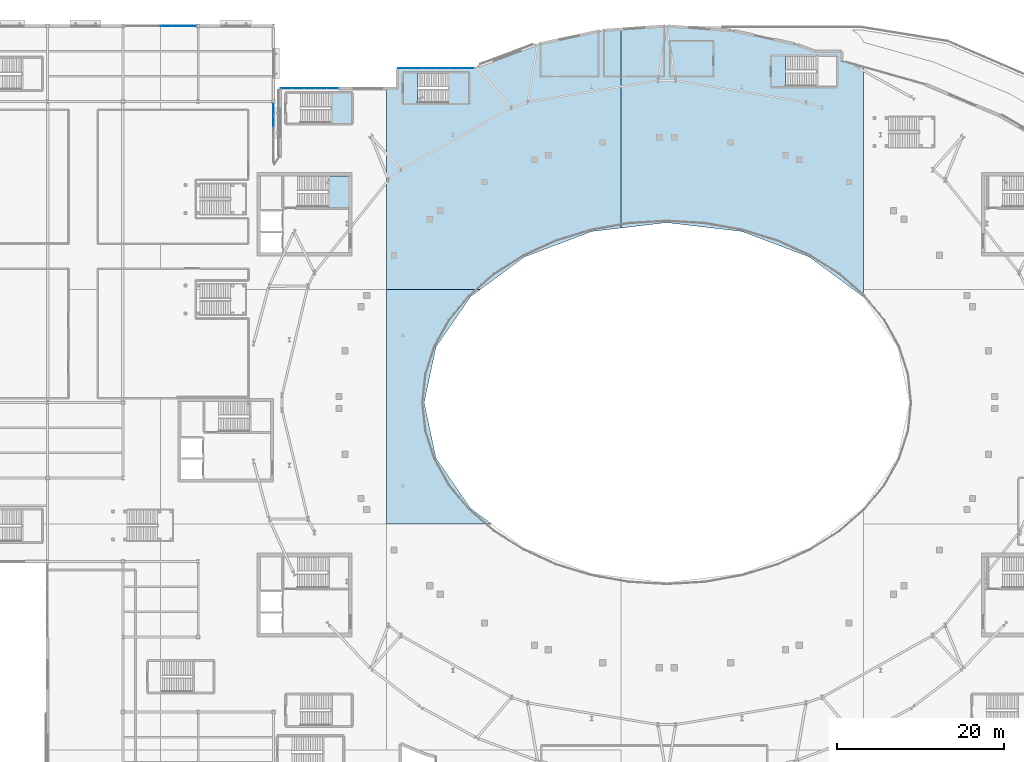
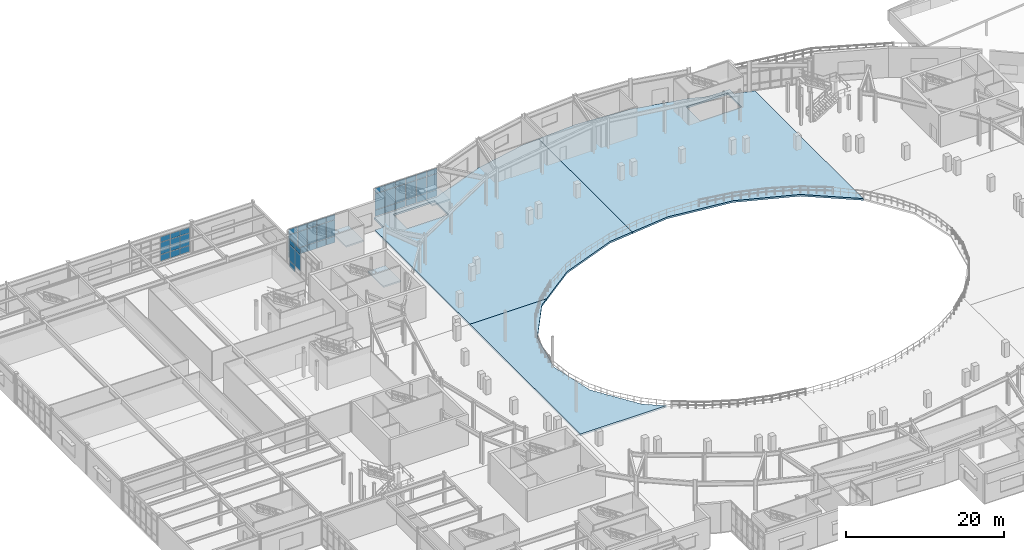
# One storey, part 53 of 84: 47 plates, 6 slabs, 7 elements without a shape of their own.
"""IFC4 building model written with IfcOpenShell, lengths in metres."""

from ifc_helpers import new_model, si_unit, direction, frame, origin, origin_2d, place, context, subcontext, project, spatial, polyline, rectangle, outline, extrude, material, layer, layer_set, type_object, element, aggregate, save


model = new_model("IFC4")

# Units and contexts
model_context = context("Model", 3, precision=1e-05, world=origin(), true_north=direction((0.0, 1.0)))
body_context = subcontext(model_context, "Body", "Model", "MODEL_VIEW")
ifc_project = project(units=[si_unit("LENGTHUNIT", "METRE"), si_unit("AREAUNIT", "SQUARE_METRE"), si_unit("VOLUMEUNIT", "CUBIC_METRE"), si_unit("PLANEANGLEUNIT", "RADIAN"), si_unit("MASSUNIT", "GRAM", prefix="KILO")], contexts=[model_context])

# Site, building, storey
site_placement = place(None, origin())
site = spatial("IfcSite", under=ifc_project, at=site_placement, CompositionType="ELEMENT")
building_placement = place(site_placement, origin())
building = spatial("IfcBuilding", under=site, at=building_placement, Name="Glasvene Arena", CompositionType="ELEMENT")
storey_placement = place(building_placement, frame((0.0, 0.0, 10.199951171875)))
storey = spatial("IfcBuildingStorey", under=building, at=storey_placement, Name="L02", CompositionType="ELEMENT", Elevation=10.199951171875)

# Curtain wall, plates
ifc_material_1 = material(Name="Low-emissivity laminated double glazing", Category="glass")
curtain_wall_type_1 = type_object("IfcCurtainWallType", Name="CW-FAC-L01-856x385", PredefinedType="USERDEFINED", material=ifc_material_1)
curtain_wall_1_placement = place(storey_placement, frame((27.19189453125, 118.0, 0.0)))
curtain_wall_1 = element("IfcCurtainWall", 1, at=curtain_wall_1_placement, inside=storey, type_object=curtain_wall_type_1, Name="Unitised curtain wall CW-F-L02-150-315-1180-10", ObjectType="CURTAIN WALL", PredefinedType="USERDEFINED")
ifc_layer_1 = layer(ifc_material_1, 0.028076171875)
ifc_layer_set_1 = layer_set([ifc_layer_1], Name="Low-emissivity laminated double glazing")
plate_type = type_object("IfcPlateType", Name="CW-GLZ-28", PredefinedType="CURTAIN_PANEL", material=ifc_layer_set_1)
plate_1_placement = place(storey_placement, frame((32.18701171875, 118.0, 0.10986328125), z_axis=(0.0, 0.0, 1.0), x_axis=(1.0, 0.0, 0.0)))
plate_1 = element("IfcPlate", 2, at=plate_1_placement, type_object=plate_type, Name="CW-017 panel 4.1", PredefinedType="CURTAIN_PANEL", context=body_context, shape_type="SweptSolid", body=[
    extrude(rectangle(XDim=1.377197265625, YDim=0.028076171875, at=origin_2d()), origin(), (0.0, 0.0, 1.0), 0.965087890625),
])
plate_2_placement = place(storey_placement, frame((32.18701171875, 118.0, 1.125), z_axis=(0.0, 0.0, 1.0), x_axis=(1.0, 0.0, 0.0)))
plate_2 = element("IfcPlate", 3, at=plate_2_placement, type_object=plate_type, Name="CW-017 panel 4.2", PredefinedType="CURTAIN_PANEL", context=body_context, shape_type="SweptSolid", body=[
    extrude(rectangle(XDim=1.377197265625, YDim=0.028076171875, at=origin_2d()), origin(), (0.0, 0.0, 1.0), 1.85693359375),
])
plate_3_placement = place(storey_placement, frame((32.18701171875, 118.0, 3.0322265625), z_axis=(0.0, 0.0, 1.0), x_axis=(1.0, 0.0, 0.0)))
plate_3 = element("IfcPlate", 4, at=plate_3_placement, type_object=plate_type, Name="CW-017 panel 4.3", PredefinedType="CURTAIN_PANEL", context=body_context, shape_type="SweptSolid", body=[
    extrude(rectangle(XDim=1.377197265625, YDim=0.028076171875, at=origin_2d()), origin(), (0.0, 0.0, 1.0), 0.824951171875),
])
plate_4_placement = place(storey_placement, frame((33.614013671875, 118.0, 0.10986328125), z_axis=(0.0, 0.0, 1.0), x_axis=(1.0, 0.0, 0.0)))
plate_4 = element("IfcPlate", 5, at=plate_4_placement, type_object=plate_type, Name="CW-017 panel 5.1", PredefinedType="CURTAIN_PANEL", context=body_context, shape_type="SweptSolid", body=[
    extrude(rectangle(XDim=1.377197265625, YDim=0.028076171875, at=origin_2d()), origin(), (0.0, 0.0, 1.0), 0.965087890625),
])
plate_5_placement = place(storey_placement, frame((33.614013671875, 118.0, 1.125), z_axis=(0.0, 0.0, 1.0), x_axis=(1.0, 0.0, 0.0)))
plate_5 = element("IfcPlate", 6, at=plate_5_placement, type_object=plate_type, Name="CW-017 panel 5.2", PredefinedType="CURTAIN_PANEL", context=body_context, shape_type="SweptSolid", body=[
    extrude(rectangle(XDim=1.377197265625, YDim=0.028076171875, at=origin_2d()), origin(), (0.0, 0.0, 1.0), 1.85693359375),
])
plate_6_placement = place(storey_placement, frame((33.614013671875, 118.0, 3.0322265625), z_axis=(0.0, 0.0, 1.0), x_axis=(1.0, 0.0, 0.0)))
plate_6 = element("IfcPlate", 7, at=plate_6_placement, type_object=plate_type, Name="CW-017 panel 5.3", PredefinedType="CURTAIN_PANEL", context=body_context, shape_type="SweptSolid", body=[
    extrude(rectangle(XDim=1.377197265625, YDim=0.028076171875, at=origin_2d()), origin(), (0.0, 0.0, 1.0), 0.824951171875),
])
plate_7_placement = place(storey_placement, frame((35.02880859375, 118.0, 0.10986328125), z_axis=(0.0, 0.0, 1.0), x_axis=(1.0, 0.0, 0.0)))
plate_7 = element("IfcPlate", 8, at=plate_7_placement, type_object=plate_type, Name="CW-017 panel 6.1", PredefinedType="CURTAIN_PANEL", context=body_context, shape_type="SweptSolid", body=[
    extrude(rectangle(XDim=1.35205078125, YDim=0.028076171875, at=origin_2d()), origin(), (0.0, 0.0, 1.0), 0.965087890625),
])
plate_8_placement = place(storey_placement, frame((35.02880859375, 118.0, 1.125), z_axis=(0.0, 0.0, 1.0), x_axis=(1.0, 0.0, 0.0)))
plate_8 = element("IfcPlate", 9, at=plate_8_placement, type_object=plate_type, Name="CW-017 panel 6.2", PredefinedType="CURTAIN_PANEL", context=body_context, shape_type="SweptSolid", body=[
    extrude(rectangle(XDim=1.35205078125, YDim=0.028076171875, at=origin_2d()), origin(), (0.0, 0.0, 1.0), 1.85693359375),
])
plate_9_placement = place(storey_placement, frame((35.02880859375, 118.0, 3.0322265625), z_axis=(0.0, 0.0, 1.0), x_axis=(1.0, 0.0, 0.0)))
plate_9 = element("IfcPlate", 10, at=plate_9_placement, type_object=plate_type, Name="CW-017 panel 6.3", PredefinedType="CURTAIN_PANEL", context=body_context, shape_type="SweptSolid", body=[
    extrude(rectangle(XDim=1.35205078125, YDim=0.028076171875, at=origin_2d()), origin(), (0.0, 0.0, 1.0), 0.824951171875),
])
aggregate(curtain_wall_1, [plate_1, plate_2, plate_3, plate_4, plate_5, plate_6, plate_7, plate_8, plate_9])

curtain_wall_type_2 = type_object("IfcCurtainWallType", Name="CW-FAC-L02-708x446", PredefinedType="USERDEFINED", material=ifc_material_1)
curtain_wall_2_placement = place(storey_placement, frame((45.0, 108.7548828125, 0.0)))
curtain_wall_2 = element("IfcCurtainWall", 11, at=curtain_wall_2_placement, inside=storey, type_object=curtain_wall_type_2, Name="Unitised curtain wall CW-F-L02-180-450-1052-13", ObjectType="CURTAIN WALL", PredefinedType="USERDEFINED")
plate_10_placement = place(storey_placement, frame((45.0, 108.033935546875, 0.10986328125), z_axis=(0.0, 0.0, 1.0), x_axis=(0.0, -1.0, 0.0)))
plate_10 = element("IfcPlate", 12, at=plate_10_placement, type_object=plate_type, Name="CW-020 panel 1.1", PredefinedType="CURTAIN_PANEL", context=body_context, shape_type="SweptSolid", body=[
    extrude(rectangle(XDim=1.341796875, YDim=0.028076171875, at=origin_2d()), origin(), (0.0, 0.0, 1.0), 0.965087890625),
])
plate_11_placement = place(storey_placement, frame((45.0, 108.033935546875, 1.125), z_axis=(0.0, 0.0, 1.0), x_axis=(0.0, -1.0, 0.0)))
plate_11 = element("IfcPlate", 13, at=plate_11_placement, type_object=plate_type, Name="CW-020 panel 1.2", PredefinedType="CURTAIN_PANEL", context=body_context, shape_type="SweptSolid", body=[
    extrude(rectangle(XDim=1.341796875, YDim=0.028076171875, at=origin_2d()), origin(), (0.0, 0.0, 1.0), 2.469970703125),
])
plate_12_placement = place(storey_placement, frame((45.0, 108.033935546875, 3.64501953125), z_axis=(0.0, 0.0, 1.0), x_axis=(0.0, -1.0, 0.0)))
plate_12 = element("IfcPlate", 14, at=plate_12_placement, type_object=plate_type, Name="CW-020 panel 1.3", PredefinedType="CURTAIN_PANEL", context=body_context, shape_type="SweptSolid", body=[
    extrude(rectangle(XDim=1.341796875, YDim=0.028076171875, at=origin_2d()), origin(), (0.0, 0.0, 1.0), 0.824951171875),
])
plate_13_placement = place(storey_placement, frame((45.0, 106.629638671875, 1.125), z_axis=(0.0, 0.0, 1.0), x_axis=(0.0, -1.0, 0.0)))
plate_13 = element("IfcPlate", 15, at=plate_13_placement, type_object=plate_type, Name="CW-020 panel 2.2", PredefinedType="CURTAIN_PANEL", context=body_context, shape_type="SweptSolid", body=[
    extrude(rectangle(XDim=1.36669921875, YDim=0.028076171875, at=origin_2d()), origin(), (0.0, 0.0, 1.0), 2.469970703125),
])
plate_14_placement = place(storey_placement, frame((45.0, 106.629638671875, 3.64501953125), z_axis=(0.0, 0.0, 1.0), x_axis=(0.0, -1.0, 0.0)))
plate_14 = element("IfcPlate", 16, at=plate_14_placement, type_object=plate_type, Name="CW-020 panel 2.3", PredefinedType="CURTAIN_PANEL", context=body_context, shape_type="SweptSolid", body=[
    extrude(rectangle(XDim=1.36669921875, YDim=0.028076171875, at=origin_2d()), origin(), (0.0, 0.0, 1.0), 0.824951171875),
])
aggregate(curtain_wall_2, [plate_10, plate_11, plate_12, plate_13, plate_14])

curtain_wall_type_3 = type_object("IfcCurtainWallType", Name="CW-FAC-L02-692x446", PredefinedType="USERDEFINED", material=ifc_material_1)
curtain_wall_3_placement = place(storey_placement, frame((45.840087890625, 110.550048828125, 0.0)))
curtain_wall_3 = element("IfcCurtainWall", 17, at=curtain_wall_3_placement, inside=storey, type_object=curtain_wall_type_3, Name="Unitised curtain wall CW-F-L02-180-493-1106-16", ObjectType="CURTAIN WALL", PredefinedType="USERDEFINED")
plate_15_placement = place(storey_placement, frame((46.54443359375, 110.550048828125, 0.10986328125), z_axis=(0.0, 0.0, 1.0), x_axis=(1.0, 0.0, 0.0)))
plate_15 = element("IfcPlate", 18, at=plate_15_placement, type_object=plate_type, Name="CW-021 panel 1.1", PredefinedType="CURTAIN_PANEL", context=body_context, shape_type="SweptSolid", body=[
    extrude(rectangle(XDim=1.30908203125, YDim=0.028076171875, at=origin_2d()), origin(), (0.0, 0.0, 1.0), 0.965087890625),
])
plate_16_placement = place(storey_placement, frame((46.54443359375, 110.550048828125, 1.125), z_axis=(0.0, 0.0, 1.0), x_axis=(1.0, 0.0, 0.0)))
plate_16 = element("IfcPlate", 19, at=plate_16_placement, type_object=plate_type, Name="CW-021 panel 1.2", PredefinedType="CURTAIN_PANEL", context=body_context, shape_type="SweptSolid", body=[
    extrude(rectangle(XDim=1.30908203125, YDim=0.028076171875, at=origin_2d()), origin(), (0.0, 0.0, 1.0), 2.469970703125),
])
plate_17_placement = place(storey_placement, frame((46.54443359375, 110.550048828125, 3.64501953125), z_axis=(0.0, 0.0, 1.0), x_axis=(1.0, 0.0, 0.0)))
plate_17 = element("IfcPlate", 20, at=plate_17_placement, type_object=plate_type, Name="CW-021 panel 1.3", PredefinedType="CURTAIN_PANEL", context=body_context, shape_type="SweptSolid", body=[
    extrude(rectangle(XDim=1.30908203125, YDim=0.028076171875, at=origin_2d()), origin(), (0.0, 0.0, 1.0), 0.824951171875),
])
plate_18_placement = place(storey_placement, frame((47.916015625, 110.550048828125, 0.10986328125), z_axis=(0.0, 0.0, 1.0), x_axis=(1.0, 0.0, 0.0)))
plate_18 = element("IfcPlate", 21, at=plate_18_placement, type_object=plate_type, Name="CW-021 panel 2.1", PredefinedType="CURTAIN_PANEL", context=body_context, shape_type="SweptSolid", body=[
    extrude(rectangle(XDim=1.333984375, YDim=0.028076171875, at=origin_2d()), origin(), (0.0, 0.0, 1.0), 0.965087890625),
])
plate_19_placement = place(storey_placement, frame((47.916015625, 110.550048828125, 1.125), z_axis=(0.0, 0.0, 1.0), x_axis=(1.0, 0.0, 0.0)))
plate_19 = element("IfcPlate", 22, at=plate_19_placement, type_object=plate_type, Name="CW-021 panel 2.2", PredefinedType="CURTAIN_PANEL", context=body_context, shape_type="SweptSolid", body=[
    extrude(rectangle(XDim=1.333984375, YDim=0.028076171875, at=origin_2d()), origin(), (0.0, 0.0, 1.0), 2.469970703125),
])
plate_20_placement = place(storey_placement, frame((47.916015625, 110.550048828125, 3.64501953125), z_axis=(0.0, 0.0, 1.0), x_axis=(1.0, 0.0, 0.0)))
plate_20 = element("IfcPlate", 23, at=plate_20_placement, type_object=plate_type, Name="CW-021 panel 2.3", PredefinedType="CURTAIN_PANEL", context=body_context, shape_type="SweptSolid", body=[
    extrude(rectangle(XDim=1.333984375, YDim=0.028076171875, at=origin_2d()), origin(), (0.0, 0.0, 1.0), 0.824951171875),
])
plate_21_placement = place(storey_placement, frame((49.300048828125, 110.550048828125, 0.10986328125), z_axis=(0.0, 0.0, 1.0), x_axis=(1.0, 0.0, 0.0)))
plate_21 = element("IfcPlate", 24, at=plate_21_placement, type_object=plate_type, Name="CW-021 panel 3.1", PredefinedType="CURTAIN_PANEL", context=body_context, shape_type="SweptSolid", body=[
    extrude(rectangle(XDim=1.333984375, YDim=0.028076171875, at=origin_2d()), origin(), (0.0, 0.0, 1.0), 0.965087890625),
])
plate_22_placement = place(storey_placement, frame((49.300048828125, 110.550048828125, 1.125), z_axis=(0.0, 0.0, 1.0), x_axis=(1.0, 0.0, 0.0)))
plate_22 = element("IfcPlate", 25, at=plate_22_placement, type_object=plate_type, Name="CW-021 panel 3.2", PredefinedType="CURTAIN_PANEL", context=body_context, shape_type="SweptSolid", body=[
    extrude(rectangle(XDim=1.333984375, YDim=0.028076171875, at=origin_2d()), origin(), (0.0, 0.0, 1.0), 2.469970703125),
])
plate_23_placement = place(storey_placement, frame((49.300048828125, 110.550048828125, 3.64501953125), z_axis=(0.0, 0.0, 1.0), x_axis=(1.0, 0.0, 0.0)))
plate_23 = element("IfcPlate", 26, at=plate_23_placement, type_object=plate_type, Name="CW-021 panel 3.3", PredefinedType="CURTAIN_PANEL", context=body_context, shape_type="SweptSolid", body=[
    extrude(rectangle(XDim=1.333984375, YDim=0.028076171875, at=origin_2d()), origin(), (0.0, 0.0, 1.0), 0.824951171875),
])
plate_24_placement = place(storey_placement, frame((50.68408203125, 110.550048828125, 0.10986328125), z_axis=(0.0, 0.0, 1.0), x_axis=(1.0, 0.0, 0.0)))
plate_24 = element("IfcPlate", 27, at=plate_24_placement, type_object=plate_type, Name="CW-021 panel 4.1", PredefinedType="CURTAIN_PANEL", context=body_context, shape_type="SweptSolid", body=[
    extrude(rectangle(XDim=1.333984375, YDim=0.028076171875, at=origin_2d()), origin(), (0.0, 0.0, 1.0), 0.965087890625),
])
plate_25_placement = place(storey_placement, frame((50.68408203125, 110.550048828125, 1.125), z_axis=(0.0, 0.0, 1.0), x_axis=(1.0, 0.0, 0.0)))
plate_25 = element("IfcPlate", 28, at=plate_25_placement, type_object=plate_type, Name="CW-021 panel 4.2", PredefinedType="CURTAIN_PANEL", context=body_context, shape_type="SweptSolid", body=[
    extrude(rectangle(XDim=1.333984375, YDim=0.028076171875, at=origin_2d()), origin(), (0.0, 0.0, 1.0), 2.469970703125),
])
plate_26_placement = place(storey_placement, frame((50.68408203125, 110.550048828125, 3.64501953125), z_axis=(0.0, 0.0, 1.0), x_axis=(1.0, 0.0, 0.0)))
plate_26 = element("IfcPlate", 29, at=plate_26_placement, type_object=plate_type, Name="CW-021 panel 4.3", PredefinedType="CURTAIN_PANEL", context=body_context, shape_type="SweptSolid", body=[
    extrude(rectangle(XDim=1.333984375, YDim=0.028076171875, at=origin_2d()), origin(), (0.0, 0.0, 1.0), 0.824951171875),
])
plate_27_placement = place(storey_placement, frame((52.055419921875, 110.550048828125, 0.10986328125), z_axis=(0.0, 0.0, 1.0), x_axis=(1.0, 0.0, 0.0)))
plate_27 = element("IfcPlate", 30, at=plate_27_placement, type_object=plate_type, Name="CW-021 panel 5.1", PredefinedType="CURTAIN_PANEL", context=body_context, shape_type="SweptSolid", body=[
    extrude(rectangle(XDim=1.30908203125, YDim=0.028076171875, at=origin_2d()), origin(), (0.0, 0.0, 1.0), 0.965087890625),
])
plate_28_placement = place(storey_placement, frame((52.055419921875, 110.550048828125, 1.125), z_axis=(0.0, 0.0, 1.0), x_axis=(1.0, 0.0, 0.0)))
plate_28 = element("IfcPlate", 31, at=plate_28_placement, type_object=plate_type, Name="CW-021 panel 5.2", PredefinedType="CURTAIN_PANEL", context=body_context, shape_type="SweptSolid", body=[
    extrude(rectangle(XDim=1.30908203125, YDim=0.028076171875, at=origin_2d()), origin(), (0.0, 0.0, 1.0), 2.469970703125),
])
plate_29_placement = place(storey_placement, frame((52.055419921875, 110.550048828125, 3.64501953125), z_axis=(0.0, 0.0, 1.0), x_axis=(1.0, 0.0, 0.0)))
plate_29 = element("IfcPlate", 32, at=plate_29_placement, type_object=plate_type, Name="CW-021 panel 5.3", PredefinedType="CURTAIN_PANEL", context=body_context, shape_type="SweptSolid", body=[
    extrude(rectangle(XDim=1.30908203125, YDim=0.028076171875, at=origin_2d()), origin(), (0.0, 0.0, 1.0), 0.824951171875),
])
aggregate(curtain_wall_3, [plate_15, plate_16, plate_17, plate_18, plate_19, plate_20, plate_21, plate_22, plate_23, plate_24, plate_25, plate_26, plate_27, plate_28, plate_29])

curtain_wall_type_4 = type_object("IfcCurtainWallType", Name="CW-FAC-L02-916x446", PredefinedType="USERDEFINED", material=ifc_material_1)
curtain_wall_4_placement = place(storey_placement, frame((59.840087890625, 112.949951171875, 0.0)))
curtain_wall_4 = element("IfcCurtainWall", 33, at=curtain_wall_4_placement, inside=storey, type_object=curtain_wall_type_4, Name="Unitised curtain wall CW-F-L02-180-644-1130-19", ObjectType="CURTAIN WALL", PredefinedType="USERDEFINED")
plate_30_placement = place(storey_placement, frame((60.615478515625, 112.949951171875, 0.10986328125), z_axis=(0.0, 0.0, 1.0), x_axis=(1.0, 0.0, 0.0)))
plate_30 = element("IfcPlate", 34, at=plate_30_placement, type_object=plate_type, Name="CW-022 panel 1.1", PredefinedType="CURTAIN_PANEL", context=body_context, shape_type="SweptSolid", body=[
    extrude(rectangle(XDim=1.451171875, YDim=0.028076171875, at=origin_2d()), origin(), (0.0, 0.0, 1.0), 0.965087890625),
])
plate_31_placement = place(storey_placement, frame((60.615478515625, 112.949951171875, 1.125), z_axis=(0.0, 0.0, 1.0), x_axis=(1.0, 0.0, 0.0)))
plate_31 = element("IfcPlate", 35, at=plate_31_placement, type_object=plate_type, Name="CW-022 panel 1.2", PredefinedType="CURTAIN_PANEL", context=body_context, shape_type="SweptSolid", body=[
    extrude(rectangle(XDim=1.451171875, YDim=0.028076171875, at=origin_2d()), origin(), (0.0, 0.0, 1.0), 2.469970703125),
])
plate_32_placement = place(storey_placement, frame((60.615478515625, 112.949951171875, 3.64501953125), z_axis=(0.0, 0.0, 1.0), x_axis=(1.0, 0.0, 0.0)))
plate_32 = element("IfcPlate", 36, at=plate_32_placement, type_object=plate_type, Name="CW-022 panel 1.3", PredefinedType="CURTAIN_PANEL", context=body_context, shape_type="SweptSolid", body=[
    extrude(rectangle(XDim=1.451171875, YDim=0.028076171875, at=origin_2d()), origin(), (0.0, 0.0, 1.0), 0.824951171875),
])
plate_33_placement = place(storey_placement, frame((62.129150390625, 112.949951171875, 0.10986328125), z_axis=(0.0, 0.0, 1.0), x_axis=(1.0, 0.0, 0.0)))
plate_33 = element("IfcPlate", 37, at=plate_33_placement, type_object=plate_type, Name="CW-022 panel 2.1", PredefinedType="CURTAIN_PANEL", context=body_context, shape_type="SweptSolid", body=[
    extrude(rectangle(XDim=1.47607421875, YDim=0.028076171875, at=origin_2d()), origin(), (0.0, 0.0, 1.0), 0.965087890625),
])
plate_34_placement = place(storey_placement, frame((62.129150390625, 112.949951171875, 1.125), z_axis=(0.0, 0.0, 1.0), x_axis=(1.0, 0.0, 0.0)))
plate_34 = element("IfcPlate", 38, at=plate_34_placement, type_object=plate_type, Name="CW-022 panel 2.2", PredefinedType="CURTAIN_PANEL", context=body_context, shape_type="SweptSolid", body=[
    extrude(rectangle(XDim=1.47607421875, YDim=0.028076171875, at=origin_2d()), origin(), (0.0, 0.0, 1.0), 2.469970703125),
])
plate_35_placement = place(storey_placement, frame((62.129150390625, 112.949951171875, 3.64501953125), z_axis=(0.0, 0.0, 1.0), x_axis=(1.0, 0.0, 0.0)))
plate_35 = element("IfcPlate", 39, at=plate_35_placement, type_object=plate_type, Name="CW-022 panel 2.3", PredefinedType="CURTAIN_PANEL", context=body_context, shape_type="SweptSolid", body=[
    extrude(rectangle(XDim=1.47607421875, YDim=0.028076171875, at=origin_2d()), origin(), (0.0, 0.0, 1.0), 0.824951171875),
])
plate_36_placement = place(storey_placement, frame((63.655517578125, 112.949951171875, 0.10986328125), z_axis=(0.0, 0.0, 1.0), x_axis=(1.0, 0.0, 0.0)))
plate_36 = element("IfcPlate", 40, at=plate_36_placement, type_object=plate_type, Name="CW-022 panel 3.1", PredefinedType="CURTAIN_PANEL", context=body_context, shape_type="SweptSolid", body=[
    extrude(rectangle(XDim=1.47607421875, YDim=0.028076171875, at=origin_2d()), origin(), (0.0, 0.0, 1.0), 0.965087890625),
])
plate_37_placement = place(storey_placement, frame((63.655517578125, 112.949951171875, 1.125), z_axis=(0.0, 0.0, 1.0), x_axis=(1.0, 0.0, 0.0)))
plate_37 = element("IfcPlate", 41, at=plate_37_placement, type_object=plate_type, Name="CW-022 panel 3.2", PredefinedType="CURTAIN_PANEL", context=body_context, shape_type="SweptSolid", body=[
    extrude(rectangle(XDim=1.47607421875, YDim=0.028076171875, at=origin_2d()), origin(), (0.0, 0.0, 1.0), 2.469970703125),
])
plate_38_placement = place(storey_placement, frame((63.655517578125, 112.949951171875, 3.64501953125), z_axis=(0.0, 0.0, 1.0), x_axis=(1.0, 0.0, 0.0)))
plate_38 = element("IfcPlate", 42, at=plate_38_placement, type_object=plate_type, Name="CW-022 panel 3.3", PredefinedType="CURTAIN_PANEL", context=body_context, shape_type="SweptSolid", body=[
    extrude(rectangle(XDim=1.47607421875, YDim=0.028076171875, at=origin_2d()), origin(), (0.0, 0.0, 1.0), 0.824951171875),
])
plate_39_placement = place(storey_placement, frame((65.181640625, 112.949951171875, 0.10986328125), z_axis=(0.0, 0.0, 1.0), x_axis=(1.0, 0.0, 0.0)))
plate_39 = element("IfcPlate", 43, at=plate_39_placement, type_object=plate_type, Name="CW-022 panel 4.1", PredefinedType="CURTAIN_PANEL", context=body_context, shape_type="SweptSolid", body=[
    extrude(rectangle(XDim=1.47607421875, YDim=0.028076171875, at=origin_2d()), origin(), (0.0, 0.0, 1.0), 0.965087890625),
])
plate_40_placement = place(storey_placement, frame((65.181640625, 112.949951171875, 1.125), z_axis=(0.0, 0.0, 1.0), x_axis=(1.0, 0.0, 0.0)))
plate_40 = element("IfcPlate", 44, at=plate_40_placement, type_object=plate_type, Name="CW-022 panel 4.2", PredefinedType="CURTAIN_PANEL", context=body_context, shape_type="SweptSolid", body=[
    extrude(rectangle(XDim=1.47607421875, YDim=0.028076171875, at=origin_2d()), origin(), (0.0, 0.0, 1.0), 2.469970703125),
])
plate_41_placement = place(storey_placement, frame((65.181640625, 112.949951171875, 3.64501953125), z_axis=(0.0, 0.0, 1.0), x_axis=(1.0, 0.0, 0.0)))
plate_41 = element("IfcPlate", 45, at=plate_41_placement, type_object=plate_type, Name="CW-022 panel 4.3", PredefinedType="CURTAIN_PANEL", context=body_context, shape_type="SweptSolid", body=[
    extrude(rectangle(XDim=1.47607421875, YDim=0.028076171875, at=origin_2d()), origin(), (0.0, 0.0, 1.0), 0.824951171875),
])
plate_42_placement = place(storey_placement, frame((66.707763671875, 112.949951171875, 0.10986328125), z_axis=(0.0, 0.0, 1.0), x_axis=(1.0, 0.0, 0.0)))
plate_42 = element("IfcPlate", 46, at=plate_42_placement, type_object=plate_type, Name="CW-022 panel 5.1", PredefinedType="CURTAIN_PANEL", context=body_context, shape_type="SweptSolid", body=[
    extrude(rectangle(XDim=1.47607421875, YDim=0.028076171875, at=origin_2d()), origin(), (0.0, 0.0, 1.0), 0.965087890625),
])
plate_43_placement = place(storey_placement, frame((66.707763671875, 112.949951171875, 1.125), z_axis=(0.0, 0.0, 1.0), x_axis=(1.0, 0.0, 0.0)))
plate_43 = element("IfcPlate", 47, at=plate_43_placement, type_object=plate_type, Name="CW-022 panel 5.2", PredefinedType="CURTAIN_PANEL", context=body_context, shape_type="SweptSolid", body=[
    extrude(rectangle(XDim=1.47607421875, YDim=0.028076171875, at=origin_2d()), origin(), (0.0, 0.0, 1.0), 2.469970703125),
])
plate_44_placement = place(storey_placement, frame((66.707763671875, 112.949951171875, 3.64501953125), z_axis=(0.0, 0.0, 1.0), x_axis=(1.0, 0.0, 0.0)))
plate_44 = element("IfcPlate", 48, at=plate_44_placement, type_object=plate_type, Name="CW-022 panel 5.3", PredefinedType="CURTAIN_PANEL", context=body_context, shape_type="SweptSolid", body=[
    extrude(rectangle(XDim=1.47607421875, YDim=0.028076171875, at=origin_2d()), origin(), (0.0, 0.0, 1.0), 0.824951171875),
])
plate_45_placement = place(storey_placement, frame((68.221435546875, 112.949951171875, 0.10986328125), z_axis=(0.0, 0.0, 1.0), x_axis=(1.0, 0.0, 0.0)))
plate_45 = element("IfcPlate", 49, at=plate_45_placement, type_object=plate_type, Name="CW-022 panel 6.1", PredefinedType="CURTAIN_PANEL", context=body_context, shape_type="SweptSolid", body=[
    extrude(rectangle(XDim=1.451171875, YDim=0.028076171875, at=origin_2d()), origin(), (0.0, 0.0, 1.0), 0.965087890625),
])
plate_46_placement = place(storey_placement, frame((68.221435546875, 112.949951171875, 1.125), z_axis=(0.0, 0.0, 1.0), x_axis=(1.0, 0.0, 0.0)))
plate_46 = element("IfcPlate", 50, at=plate_46_placement, type_object=plate_type, Name="CW-022 panel 6.2", PredefinedType="CURTAIN_PANEL", context=body_context, shape_type="SweptSolid", body=[
    extrude(rectangle(XDim=1.451171875, YDim=0.028076171875, at=origin_2d()), origin(), (0.0, 0.0, 1.0), 2.469970703125),
])
plate_47_placement = place(storey_placement, frame((68.221435546875, 112.949951171875, 3.64501953125), z_axis=(0.0, 0.0, 1.0), x_axis=(1.0, 0.0, 0.0)))
plate_47 = element("IfcPlate", 51, at=plate_47_placement, type_object=plate_type, Name="CW-022 panel 6.3", PredefinedType="CURTAIN_PANEL", context=body_context, shape_type="SweptSolid", body=[
    extrude(rectangle(XDim=1.451171875, YDim=0.028076171875, at=origin_2d()), origin(), (0.0, 0.0, 1.0), 0.824951171875),
])
aggregate(curtain_wall_4, [plate_30, plate_31, plate_32, plate_33, plate_34, plate_35, plate_36, plate_37, plate_38, plate_39, plate_40, plate_41, plate_42, plate_43, plate_44, plate_45, plate_46, plate_47])

# Slabs
ifc_material_2 = material(Name="Concrete C40/50", Category="concrete")
ifc_layer_2 = layer(ifc_material_2, 0.280029296875)
ifc_layer_set_2 = layer_set([ifc_layer_2], Name="Concrete C40/50")
slab_type_1 = type_object("IfcSlabType", Name="SL-CONC-280", PredefinedType="FLOOR", material=ifc_layer_set_2)
slab_1_placement = place(storey_placement, frame((65.185302734375, 72.77783203125, -0.280029296875)))
element("IfcSlab", 52, at=slab_1_placement, inside=storey, type_object=slab_type_1, Name="Structural floor slab L02 sector 3-3 (73)", PredefinedType="FLOOR", context=body_context, shape_type="SweptSolid", body=[
    extrude(outline(polyline([(3.353271484375, 12.859619140625), (-0.765869140625, 6.865966796875), (-2.185302734375, 0.22216796875), (-0.765869140625, -6.421630859375), (3.353271484375, -12.415283203125), (5.865478515625, -14.27783203125), (-6.685302734375, -14.27783203125), (-6.685302734375, 13.72216796875), (4.5166015625, 13.72216796875), (3.353271484375, 12.859619140625)])), origin(), (0.0, 0.0, 1.0), 0.280029296875),
])
slab_2_placement = place(storey_placement, frame((72.027587890625, 104.741943359375, -0.280029296875)))
element("IfcSlab", 53, at=slab_2_placement, inside=storey, type_object=slab_type_1, Name="Structural floor slab L02 sector 4-3 (78)", PredefinedType="FLOOR", context=body_context, shape_type="SweptSolid", body=[
    extrude(outline(polyline([(-12.2275390625, 8.2080078125), (-2.990478515625, 8.2080078125), (-2.72705078125, 8.353271484375), (4.521728515625, 11.0556640625), (12.150634765625, 12.7041015625), (14.472412109375, 12.868408203125), (14.472412109375, -10.8876953125), (11.010986328125, -11.294189453125), (2.926513671875, -14.34814453125), (-2.32568359375, -18.241943359375), (-13.527587890625, -18.241943359375), (-13.527587890625, 5.80810546875), (-12.2275390625, 5.80810546875), (-12.2275390625, 8.2080078125)]), holes=[polyline([(-3.7275390625, 4.05810546875), (-3.7275390625, 7.608154296875), (-9.82568359375, 7.608154296875), (-9.82568359375, 4.05810546875), (-3.7275390625, 4.05810546875)])]), origin(), (0.0, 0.0, 1.0), 0.280029296875),
])
slab_3_placement = place(storey_placement, frame((104.64208984375, 105.5166015625, -0.280029296875)))
element("IfcSlab", 54, at=slab_3_placement, inside=storey, type_object=slab_type_1, Name="Structural floor slab L02 sector 4-4 (79)", PredefinedType="FLOOR", context=body_context, shape_type="SweptSolid", body=[
    extrude(outline(polyline([(4.40380859375, -15.122802734375), (-3.6806640625, -12.06884765625), (-12.64208984375, -11.0166015625), (-18.14208984375, -11.662353515625), (-18.14208984375, 12.09375), (-12.64208984375, 12.4833984375), (-4.8203125, 11.929443359375), (2.80859375, 10.281005859375), (5.08203125, 9.433349609375), (8.2578125, 9.433349609375), (8.2578125, 8.26171875), (8.72216796875, 8.185791015625), (10.85791015625, 7.5830078125), (10.85791015625, -19.935302734375), (10.8193359375, -19.879150390625), (4.40380859375, -15.122802734375)]), holes=[polyline([(7.657958984375, 5.283447265625), (7.657958984375, 8.83349609375), (1.559814453125, 8.83349609375), (1.559814453125, 5.283447265625), (7.657958984375, 5.283447265625)])]), origin(), (0.0, 0.0, 1.0), 0.280029296875),
])

# Stair, slab
stair_type_1 = type_object("IfcStairType", Name="ST-HT-480-170", PredefinedType="HALF_TURN_STAIR", material=ifc_material_2)
stair_1_placement = place(storey_placement, origin())
stair_1 = element("IfcStair", 55, at=stair_1_placement, inside=storey, type_object=stair_type_1, Name="Protected escape stair ST-01 (L02 to L03)", PredefinedType="HALF_TURN_STAIR")
ifc_layer_3 = layer(ifc_material_2, 0.219970703125)
ifc_layer_set_3 = layer_set([ifc_layer_3], Name="Concrete C40/50")
slab_type_2 = type_object("IfcSlabType", Name="SL-LAND-220", PredefinedType="LANDING", material=ifc_layer_set_3)
slab_4_placement = place(storey_placement, frame((52.77001953125, 98.175048828125, 2.179931640625)))
slab_4 = element("IfcSlab", 56, at=slab_4_placement, type_object=slab_type_2, Name="Protected escape stair ST-01 (L02 to L03) landing 1", PredefinedType="LANDING", context=body_context, shape_type="SweptSolid", body=[
    extrude(outline(polyline([(-1.280029296875, -1.925048828125), (1.280029296875, -1.925048828125), (1.280029296875, 1.925048828125), (-1.280029296875, 1.925048828125), (-1.280029296875, -1.925048828125)])), origin(), (0.0, 0.0, 1.0), 0.22021484375),
])
aggregate(stair_1, [slab_4])

stair_type_2 = type_object("IfcStairType", Name="ST-HT-480-165", PredefinedType="HALF_TURN_STAIR", material=ifc_material_2)
stair_2_placement = place(storey_placement, origin())
stair_2 = element("IfcStair", 57, at=stair_2_placement, inside=storey, type_object=stair_type_2, Name="Protected escape stair ST-10 (L02 to L03)", PredefinedType="HALF_TURN_STAIR")
slab_5_placement = place(storey_placement, frame((67.1201171875, 110.574951171875, 2.179931640625)))
slab_5 = element("IfcSlab", 58, at=slab_5_placement, type_object=slab_type_2, Name="Protected escape stair ST-10 (L02 to L03) landing 1", PredefinedType="LANDING", context=body_context, shape_type="SweptSolid", body=[
    extrude(outline(polyline([(-1.280029296875, -1.875), (1.27978515625, -1.875), (1.27978515625, 1.875), (-1.280029296875, 1.875), (-1.280029296875, -1.875)])), origin(), (0.0, 0.0, 1.0), 0.22021484375),
])
aggregate(stair_2, [slab_5])

stair_3_placement = place(storey_placement, origin())
stair_3 = element("IfcStair", 59, at=stair_3_placement, inside=storey, type_object=stair_type_2, Name="Protected escape stair ST-12 (L02 to L03)", PredefinedType="HALF_TURN_STAIR")
slab_6_placement = place(storey_placement, frame((53.1201171875, 108.175048828125, 2.179931640625)))
slab_6 = element("IfcSlab", 60, at=slab_6_placement, type_object=slab_type_2, Name="Protected escape stair ST-12 (L02 to L03) landing 1", PredefinedType="LANDING", context=body_context, shape_type="SweptSolid", body=[
    extrude(outline(polyline([(-1.280029296875, -1.875), (1.27978515625, -1.875), (1.27978515625, 1.875), (-1.280029296875, 1.875), (-1.280029296875, -1.875)])), origin(), (0.0, 0.0, 1.0), 0.22021484375),
])
aggregate(stair_3, [slab_6])

save(model, "model.ifc")
